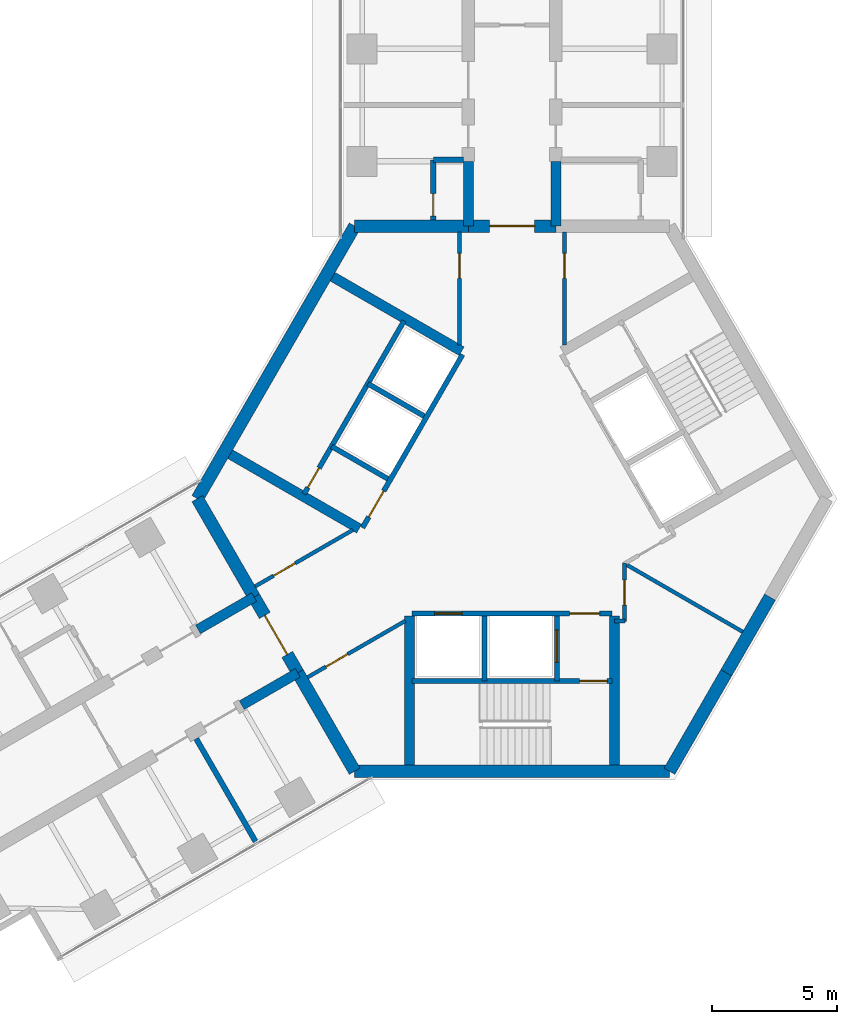
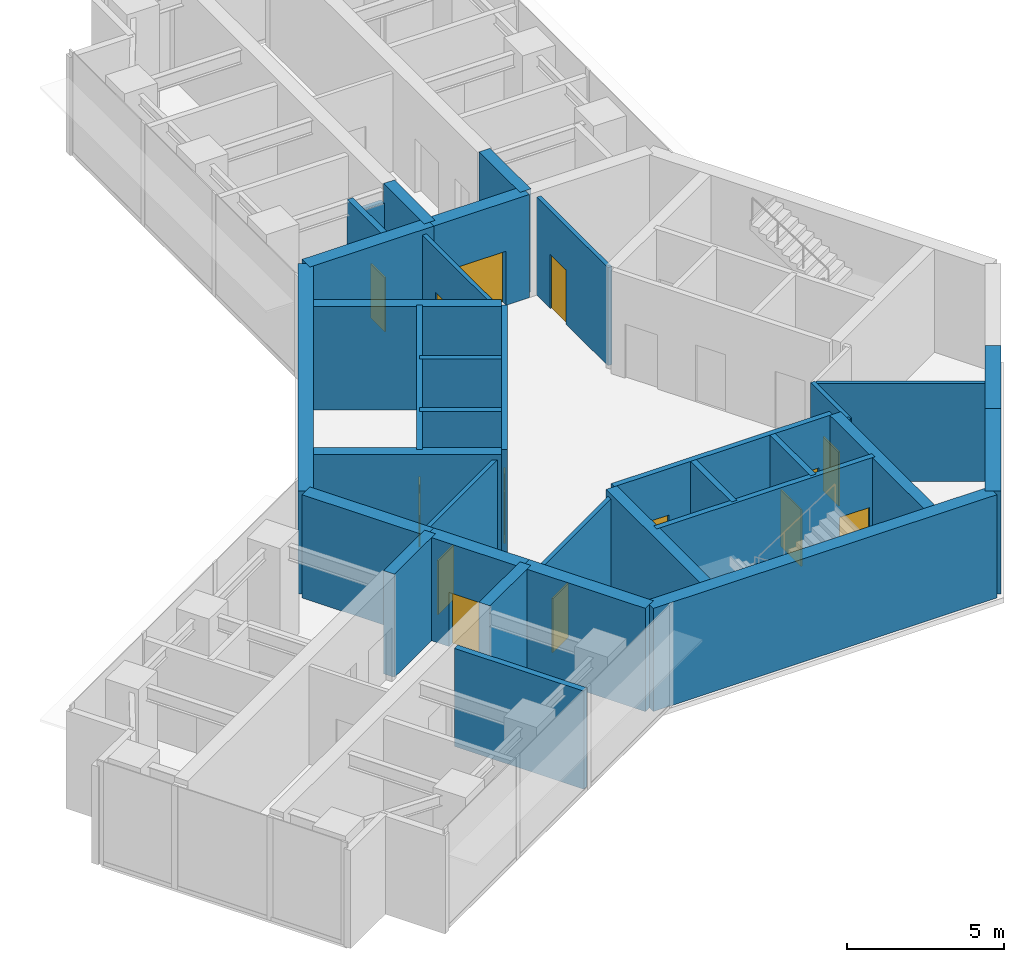
# One storey, part 14 of 17: 35 walls, 14 doors, 14 openings.
"""IFC4 building model written with IfcOpenShell, lengths in metres."""

from ifc_helpers import new_model, si_unit, direction, frame, frame_2d, origin, place, context, subcontext, project, spatial, rectangle, extrude, material, layer, layer_set, type_object, element, fill, save


model = new_model("IFC4")

# Units and contexts
model_context = context("Model", 3, precision=1e-05, world=origin(), true_north=direction((0.0, 1.0)))
body_context = subcontext(model_context, "Body", "Model", "MODEL_VIEW")
ifc_project = project(units=[si_unit("LENGTHUNIT", "METRE"), si_unit("AREAUNIT", "SQUARE_METRE"), si_unit("VOLUMEUNIT", "CUBIC_METRE"), si_unit("PLANEANGLEUNIT", "RADIAN"), si_unit("MASSUNIT", "GRAM", prefix="KILO")], contexts=[model_context])

# Site, building, storey
site_placement = place(None, origin())
site = spatial("IfcSite", under=ifc_project, at=site_placement, CompositionType="ELEMENT")
building_placement = place(site_placement, origin())
building = spatial("IfcBuilding", under=site, at=building_placement, Name="Upepo Twin Towers", CompositionType="ELEMENT")
storey_placement = place(building_placement, frame((0.0, 0.0, 186.5)))
storey = spatial("IfcBuildingStorey", under=building, at=storey_placement, Name="L45", CompositionType="ELEMENT", Elevation=186.5)

# Wall, opening, door
ifc_material_1 = material(Name="Concrete blockwork, plastered both faces", Category="masonry")
ifc_layer_1 = layer(ifc_material_1, 0.215087890625)
ifc_layer_set_1 = layer_set([ifc_layer_1], Name="Blockwork partition 215")
wall_type_1 = type_object("IfcWallType", Name="Blockwork partition 215", PredefinedType="PARTITIONING", material=ifc_layer_set_1)
wall_1_placement = place(storey_placement, frame((55.35009765625, -6.842041015625, 0.0), z_axis=(0.0, 0.0, 1.0), x_axis=(0.0, 1.0, 0.0)))
wall_1 = element("IfcWall", 1, at=wall_1_placement, inside=storey, type_object=wall_type_1, Name="T2 WC bay partition AL at 11.16", PredefinedType="PARTITIONING", context=body_context, shape_type="SweptSolid", body=[
    extrude(rectangle(XDim=2.400146484375, YDim=0.215087890625, at=frame_2d((1.2001953125, 0.0))), origin(), (0.0, 0.0, 1.0), 3.800048828125),
])
opening_1_placement = place(wall_1_placement, frame((0.14990234375, 0.0, 0.0)))
opening_1 = element("IfcOpeningElement", 2, at=opening_1_placement, cuts=wall_1, Name="Opening D14", PredefinedType="OPENING", context=body_context, shape_type="SweptSolid", body=[
    extrude(rectangle(XDim=0.89990234375, YDim=2.10009765625, at=frame_2d((0.449951171875, 1.050048828125))), frame((0.0, 0.117431640625, 0.0), z_axis=(0.0, -1.0, 0.0), x_axis=(1.0, 0.0, 0.0)), (0.0, 0.0, 1.0), 0.235107421875),
])
ifc_material_2 = material(Name="Timber doorset", Category="wood")
door_type_1 = type_object("IfcDoorType", Name="Office door 900 FD30", OperationType="SINGLE_SWING_LEFT", PredefinedType="DOOR", material=ifc_material_2)
door_1_placement = place(opening_1_placement, origin())
door_1 = element("IfcDoor", 3, at=door_1_placement, inside=storey, type_object=door_type_1, Name="T2 L45 WC bay inner room door", OperationType="SINGLE_SWING_LEFT", OverallHeight=2.10009765625, OverallWidth=0.89990234375, PredefinedType="DOOR", context=body_context, shape_type="SweptSolid", body=[
    extrude(rectangle(XDim=0.89990234375, YDim=2.10009765625, at=frame_2d((0.449951171875, 1.050048828125))), frame((0.0, 0.02490234375, 0.0), z_axis=(0.0, -1.0, 0.0), x_axis=(1.0, 0.0, 0.0)), (0.0, 0.0, 1.0), 0.050048828125),
])
fill(opening_1, door_1)

# Walls
wall_2_placement = place(storey_placement, frame((56.550048828125, -4.44189453125, 0.0), z_axis=(0.0, 0.0, 1.0), x_axis=(-1.0, 0.0, 0.0)))
element("IfcWall", 4, at=wall_2_placement, inside=storey, type_object=wall_type_1, Name="T2 WC bay partition AL end at 13.56", PredefinedType="PARTITIONING", context=body_context, shape_type="SweptSolid", body=[
    extrude(rectangle(XDim=1.199951171875, YDim=0.215087890625, at=frame_2d((0.60009765625, 0.0))), origin(), (0.0, 0.0, 1.0), 3.266845703125),
])
wall_3_placement = place(storey_placement, frame((45.860107421875, -27.60693359375, 0.0), z_axis=(0.0, 0.0, 1.0), x_axis=(0.499986429846, -0.866033238375, 0.0)))
element("IfcWall", 5, at=wall_3_placement, inside=storey, type_object=wall_type_1, Name="T2 partition BL at 15.75", PredefinedType="PARTITIONING", context=body_context, shape_type="SweptSolid", body=[
    extrude(rectangle(XDim=4.750244140625, YDim=0.215087890625, at=frame_2d((2.375, 0.0))), origin(), (0.0, 0.0, 1.0), 3.800048828125),
])
ifc_material_3 = material(Name="Concrete C60/75", Category="concrete")
ifc_layer_2 = layer(ifc_material_3, 0.39990234375)
ifc_layer_set_2 = layer_set([ifc_layer_2], Name="Concrete C60/75")
wall_type_2 = type_object("IfcWallType", Name="Buttress wall 400 RC", PredefinedType="SHEAR", material=ifc_layer_set_2)
for number, where, z_axis, x_axis, name in (
    (6, (56.75, -7.091552734375, 0.0), (0.0, 0.0, 1.0), (0.0, 1.0, 0.0), "T2 wing A buttress wall L"),
    (7, (60.25, -7.091552734375, 0.0), (0.0, 0.0, 1.0), (0.0, 1.0, 0.0), "T2 wing A buttress wall R"),
):
    element("IfcWall", number, at=place(storey_placement, frame(where, z_axis=z_axis, x_axis=x_axis)), inside=storey, type_object=wall_type_2, Name=name, PredefinedType="SHEAR", context=body_context, shape_type="SweptSolid", body=[
        extrude(rectangle(XDim=2.591552734375, YDim=0.39990234375, at=frame_2d((1.2958984375, 0.0))), origin(), (0.0, 0.0, 1.0), 4.0),
    ])
for number, where, z_axis, x_axis, name in (
    (8, (49.92822265625, -24.9697265625, 0.0), (0.0, 0.0, 1.0), (-0.866031863473, -0.499988811324, 0.0), "T2 wing B buttress wall L"),
    (9, (48.17822265625, -21.938720703125, 0.0), (0.0, 0.0, 1.0), (-0.866072649678, -0.499918158782, 0.0), "T2 wing B buttress wall R"),
):
    element("IfcWall", number, at=place(storey_placement, frame(where, z_axis=z_axis, x_axis=x_axis)), inside=storey, type_object=wall_type_2, Name=name, PredefinedType="SHEAR", context=body_context, shape_type="SweptSolid", body=[
        extrude(rectangle(XDim=2.591796875, YDim=0.39990234375, at=frame_2d((1.2958984375, 0.0))), origin(), (0.0, 0.0, 1.0), 4.0),
    ])

# Wall, opening, door
ifc_material_4 = material(Name="Concrete C60/75", Category="concrete")
ifc_layer_3 = layer(ifc_material_4, 0.5)
ifc_layer_set_3 = layer_set([ifc_layer_3], Name="Concrete C60/75")
wall_type_3 = type_object("IfcWallType", Name="Core wall 500 RC", PredefinedType="SHEAR", material=ifc_layer_set_3)
wall_4_placement = place(storey_placement, frame((60.25, -7.091552734375, 0.0), z_axis=(0.0, 0.0, 1.0), x_axis=(-1.0, 0.0, 0.0)))
wall_4 = element("IfcWall", 10, at=wall_4_placement, inside=storey, type_object=wall_type_3, Name="T2 core wall 000", PredefinedType="SHEAR", context=body_context, shape_type="SweptSolid", body=[
    extrude(rectangle(XDim=3.5, YDim=0.5, at=frame_2d((1.75, 0.0))), origin(), (0.0, 0.0, 1.0), 4.0),
])
opening_2_placement = place(wall_4_placement, frame((0.85009765625, 0.0, 0.0)))
opening_2 = element("IfcOpeningElement", 11, at=opening_2_placement, cuts=wall_4, Name="Opening D2", PredefinedType="OPENING", context=body_context, shape_type="SweptSolid", body=[
    extrude(rectangle(XDim=1.800048828125, YDim=2.10009765625, at=frame_2d((0.89990234375, 1.050048828125))), frame((0.0, 0.260009765625, 0.0), z_axis=(0.0, -1.0, 0.0), x_axis=(1.0, 0.0, 0.0)), (0.0, 0.0, 1.0), 0.52001953125),
])
ifc_material_5 = material(Name="Timber doorset", Category="wood")
door_type_2 = type_object("IfcDoorType", Name="Corridor double door 1800 FD60", OperationType="DOUBLE_DOOR_DOUBLE_SWING", PredefinedType="DOOR", material=ifc_material_5)
door_2_placement = place(opening_2_placement, origin())
door_2 = element("IfcDoor", 12, at=door_2_placement, inside=storey, type_object=door_type_2, Name="T2 L45 wing A corridor door", OperationType="DOUBLE_DOOR_DOUBLE_SWING", OverallHeight=2.10009765625, OverallWidth=1.800048828125, PredefinedType="DOOR", context=body_context, shape_type="SweptSolid", body=[
    extrude(rectangle(XDim=1.800048828125, YDim=2.10009765625, at=frame_2d((0.89990234375, 1.050048828125))), frame((0.0, 0.02490234375, 0.0), z_axis=(0.0, -1.0, 0.0), x_axis=(1.0, 0.0, 0.0)), (0.0, 0.0, 1.0), 0.050048828125),
])
fill(opening_2, door_2)

# Walls
wall_5_placement = place(storey_placement, frame((56.75, -7.091552734375, 0.0), z_axis=(0.0, 0.0, 1.0), x_axis=(-1.0, 0.0, 0.0)))
element("IfcWall", 13, at=wall_5_placement, inside=storey, type_object=wall_type_3, Name="T2 core wall 000 L", PredefinedType="SHEAR", context=body_context, shape_type="SweptSolid", body=[
    extrude(rectangle(XDim=4.5478515625, YDim=0.5, at=frame_2d((2.27392578125, 0.0))), origin(), (0.0, 0.0, 1.0), 4.0),
])
wall_6_placement = place(storey_placement, frame((52.2021484375, -7.091552734375, 0.0), z_axis=(0.0, 0.0, 1.0), x_axis=(-0.500005998175, -0.866021940709, 0.0)))
element("IfcWall", 14, at=wall_6_placement, inside=storey, type_object=wall_type_3, Name="T2 core wall 060", PredefinedType="SHEAR", context=body_context, shape_type="SweptSolid", body=[
    extrude(rectangle(XDim=12.595947265625, YDim=0.5, at=frame_2d((6.2978515625, 0.0))), origin(), (0.0, 0.0, 1.0), 4.0),
])
wall_7_placement = place(storey_placement, frame((45.904052734375, -18.0, 0.0), z_axis=(0.0, 0.0, 1.0), x_axis=(0.500024481964, -0.866011268655, 0.0)))
element("IfcWall", 15, at=wall_7_placement, inside=storey, type_object=wall_type_3, Name="T2 core wall 120 R", PredefinedType="SHEAR", context=body_context, shape_type="SweptSolid", body=[
    extrude(rectangle(XDim=4.548095703125, YDim=0.5, at=frame_2d((2.27392578125, 0.0))), origin(), (0.0, 0.0, 1.0), 4.0),
])

# Wall, opening, door
wall_8_placement = place(storey_placement, frame((48.17822265625, -21.938720703125, 0.0), z_axis=(0.0, 0.0, 1.0), x_axis=(0.500010275428, -0.866019471182, 0.0)))
wall_8 = element("IfcWall", 16, at=wall_8_placement, inside=storey, type_object=wall_type_3, Name="T2 core wall 120", PredefinedType="SHEAR", context=body_context, shape_type="SweptSolid", body=[
    extrude(rectangle(XDim=3.5, YDim=0.5, at=frame_2d((1.75, 0.0))), origin(), (0.0, 0.0, 1.0), 4.0),
])
opening_3_placement = place(wall_8_placement, frame((0.85009765625, 0.0, 0.0)))
opening_3 = element("IfcOpeningElement", 17, at=opening_3_placement, cuts=wall_8, Name="Opening D2", PredefinedType="OPENING", context=body_context, shape_type="SweptSolid", body=[
    extrude(rectangle(XDim=1.800048828125, YDim=2.10009765625, at=frame_2d((0.89990234375, 1.050048828125))), frame((0.0, 0.260009765625, 0.0), z_axis=(0.0, -1.0, 0.0), x_axis=(1.0, 0.0, 0.0)), (0.0, 0.0, 1.0), 0.52001953125),
])
door_3_placement = place(opening_3_placement, origin())
door_3 = element("IfcDoor", 18, at=door_3_placement, inside=storey, type_object=door_type_2, Name="T2 L45 wing B corridor door", OperationType="DOUBLE_DOOR_DOUBLE_SWING", OverallHeight=2.10009765625, OverallWidth=1.800048828125, PredefinedType="DOOR", context=body_context, shape_type="SweptSolid", body=[
    extrude(rectangle(XDim=1.800048828125, YDim=2.10009765625, at=frame_2d((0.89990234375, 1.050048828125))), frame((0.0, 0.02490234375, 0.0), z_axis=(0.0, -1.0, 0.0), x_axis=(1.0, 0.0, 0.0)), (0.0, 0.0, 1.0), 0.050048828125),
])
fill(opening_3, door_3)

# Walls
wall_9_placement = place(storey_placement, frame((49.92822265625, -24.9697265625, 0.0), z_axis=(0.0, 0.0, 1.0), x_axis=(0.499984222037, -0.866034513004, 0.0)))
element("IfcWall", 19, at=wall_9_placement, inside=storey, type_object=wall_type_3, Name="T2 core wall 120 L", PredefinedType="SHEAR", context=body_context, shape_type="SweptSolid", body=[
    extrude(rectangle(XDim=4.548095703125, YDim=0.5, at=frame_2d((2.27392578125, 0.0))), origin(), (0.0, 0.0, 1.0), 4.0),
])
wall_10_placement = place(storey_placement, frame((52.2021484375, -28.908447265625, 0.0), z_axis=(0.0, 0.0, 1.0), x_axis=(1.0, 0.0, 0.0)))
element("IfcWall", 20, at=wall_10_placement, inside=storey, type_object=wall_type_3, Name="T2 core wall 180", PredefinedType="SHEAR", context=body_context, shape_type="SweptSolid", body=[
    extrude(rectangle(XDim=12.595703125, YDim=0.5, at=frame_2d((6.2978515625, 0.0))), origin(), (0.0, 0.0, 1.0), 4.0),
])
wall_11_placement = place(storey_placement, frame((64.7978515625, -28.908447265625, 0.0), z_axis=(0.0, 0.0, 1.0), x_axis=(0.499984222037, 0.866034513004, 0.0)))
element("IfcWall", 21, at=wall_11_placement, inside=storey, type_object=wall_type_3, Name="T2 core wall 240 R", PredefinedType="SHEAR", context=body_context, shape_type="SweptSolid", body=[
    extrude(rectangle(XDim=4.548095703125, YDim=0.5, at=frame_2d((2.27392578125, 0.0))), origin(), (0.0, 0.0, 1.0), 4.0),
])
wall_12_placement = place(storey_placement, frame((67.07177734375, -24.9697265625, 0.0), z_axis=(0.0, 0.0, 1.0), x_axis=(0.500010275428, 0.866019471182, 0.0)))
element("IfcWall", 22, at=wall_12_placement, inside=storey, type_object=wall_type_3, Name="T2 core wall 240", PredefinedType="SHEAR", context=body_context, shape_type="SweptSolid", body=[
    extrude(rectangle(XDim=3.5, YDim=0.5, at=frame_2d((1.75, 0.0))), origin(), (0.0, 0.0, 1.0), 4.0),
])

# Wall, opening, door
ifc_material_6 = material(Name="Concrete C40/50", Category="concrete")
ifc_layer_4 = layer(ifc_material_6, 0.199951171875)
ifc_layer_set_4 = layer_set([ifc_layer_4], Name="Concrete C40/50")
wall_type_4 = type_object("IfcWallType", Name="Shaft wall 200 RC", PredefinedType="SHEAR", material=ifc_layer_set_4)
wall_13_placement = place(storey_placement, frame((56.516357421875, -12.23583984375, 0.0), z_axis=(0.0, 0.0, 1.0), x_axis=(-0.49999894854, -0.866026010844, 0.0)))
wall_13 = element("IfcWall", 23, at=wall_13_placement, inside=storey, type_object=wall_type_4, Name="T2 core W60 front wall", PredefinedType="SHEAR", context=body_context, shape_type="SweptSolid", body=[
    extrude(rectangle(XDim=8.0, YDim=0.199951171875, at=frame_2d((4.0, 0.0))), origin(), (0.0, 0.0, 1.0), 4.0),
])
opening_4_placement = place(wall_13_placement, frame((6.300048828125, 0.0, 0.0)))
opening_4 = element("IfcOpeningElement", 24, at=opening_4_placement, cuts=wall_13, Name="Opening D4", PredefinedType="OPENING", context=body_context, shape_type="SweptSolid", body=[
    extrude(rectangle(XDim=1.199951171875, YDim=2.10009765625, at=frame_2d((0.60009765625, 1.050048828125))), frame((0.0, 0.10986328125, 0.0), z_axis=(0.0, -1.0, 0.0), x_axis=(1.0, 0.0, 0.0)), (0.0, 0.0, 1.0), 0.219970703125),
])
ifc_material_7 = material(Name="Timber doorset", Category="wood")
door_type_3 = type_object("IfcDoorType", Name="Lobby door 1200 FD60", OperationType="SINGLE_SWING_LEFT", PredefinedType="DOOR", material=ifc_material_7)
door_4_placement = place(opening_4_placement, origin())
door_4 = element("IfcDoor", 25, at=door_4_placement, inside=storey, type_object=door_type_3, Name="T2 L45 W60 lobby door", OperationType="SINGLE_SWING_RIGHT", OverallHeight=2.10009765625, OverallWidth=1.199951171875, PredefinedType="DOOR", context=body_context, shape_type="SweptSolid", body=[
    extrude(rectangle(XDim=1.199951171875, YDim=2.10009765625, at=frame_2d((0.60009765625, 1.050048828125))), frame((0.0, 0.02490234375, 0.0), z_axis=(0.0, -1.0, 0.0), x_axis=(1.0, 0.0, 0.0)), (0.0, 0.0, 1.0), 0.050048828125),
])
fill(opening_4, door_4)

# Walls
for number, where, z_axis, x_axis, name in (
    (26, (54.979736328125, -14.697265625, 0.0), (0.0, 0.0, 1.0), (-0.866062058628, 0.499936506574, 0.0), "T2 core W60 shaft divider"),
    (27, (53.52978515625, -17.208740234375, 0.0), (0.0, 0.0, 1.0), (-0.866062058628, 0.499936506574, 0.0), "T2 core W60 lobby wall"),
):
    element("IfcWall", number, at=place(storey_placement, frame(where, z_axis=z_axis, x_axis=x_axis)), inside=storey, type_object=wall_type_4, Name=name, PredefinedType="SHEAR", context=body_context, shape_type="SweptSolid", body=[
        extrude(rectangle(XDim=2.599853515625, YDim=0.199951171875, at=frame_2d((1.2998046875, 0.0))), origin(), (0.0, 0.0, 1.0), 4.0),
    ])

# Wall, opening, door
wall_14_placement = place(storey_placement, frame((54.177978515625, -10.885986328125, 0.0), z_axis=(0.0, 0.0, 1.0), x_axis=(-0.49999894854, -0.866026010844, 0.0)))
wall_14 = element("IfcWall", 28, at=wall_14_placement, inside=storey, type_object=wall_type_4, Name="T2 core W60 stair wall", PredefinedType="SHEAR", context=body_context, shape_type="SweptSolid", body=[
    extrude(rectangle(XDim=8.0, YDim=0.199951171875, at=frame_2d((4.0, 0.0))), origin(), (0.0, 0.0, 1.0), 4.0),
])
opening_5_placement = place(wall_14_placement, frame((6.800048828125, 0.0, 0.0)))
opening_5 = element("IfcOpeningElement", 29, at=opening_5_placement, cuts=wall_14, Name="Opening D9", PredefinedType="OPENING", context=body_context, shape_type="SweptSolid", body=[
    extrude(rectangle(XDim=0.89990234375, YDim=2.10009765625, at=frame_2d((0.449951171875, 1.050048828125))), frame((0.0, 0.10986328125, 0.0), z_axis=(0.0, -1.0, 0.0), x_axis=(1.0, 0.0, 0.0)), (0.0, 0.0, 1.0), 0.219970703125),
])
ifc_material_8 = material(Name="Timber doorset", Category="wood")
door_type_4 = type_object("IfcDoorType", Name="Riser door 900 FD60", OperationType="SINGLE_SWING_LEFT", PredefinedType="DOOR", material=ifc_material_8)
door_5_placement = place(opening_5_placement, origin())
door_5 = element("IfcDoor", 30, at=door_5_placement, inside=storey, type_object=door_type_4, Name="T2 L45 riser door", OperationType="SINGLE_SWING_RIGHT", OverallHeight=2.10009765625, OverallWidth=0.89990234375, PredefinedType="DOOR", context=body_context, shape_type="SweptSolid", body=[
    extrude(rectangle(XDim=0.89990234375, YDim=2.10009765625, at=frame_2d((0.449951171875, 1.050048828125))), frame((0.0, 0.02490234375, 0.0), z_axis=(0.0, -1.0, 0.0), x_axis=(1.0, 0.0, 0.0)), (0.0, 0.0, 1.0), 0.050048828125),
])
fill(opening_5, door_5)

# Wall, openings, doors
wall_15_placement = place(storey_placement, frame((54.5, -22.60009765625, 0.0), z_axis=(0.0, 0.0, 1.0), x_axis=(1.0, 0.0, 0.0)))
wall_15 = element("IfcWall", 31, at=wall_15_placement, inside=storey, type_object=wall_type_4, Name="T2 core W180 front wall", PredefinedType="SHEAR", context=body_context, shape_type="SweptSolid", body=[
    extrude(rectangle(XDim=8.0, YDim=0.199951171875, at=frame_2d((4.0, 0.0))), origin(), (0.0, 0.0, 1.0), 4.0),
])
opening_6_placement = place(wall_15_placement, frame((6.300048828125, 0.0, 0.0)))
opening_6 = element("IfcOpeningElement", 32, at=opening_6_placement, cuts=wall_15, Name="Opening D4", PredefinedType="OPENING", context=body_context, shape_type="SweptSolid", body=[
    extrude(rectangle(XDim=1.199951171875, YDim=2.10009765625, at=frame_2d((0.60009765625, 1.050048828125))), frame((0.0, 0.10986328125, 0.0), z_axis=(0.0, -1.0, 0.0), x_axis=(1.0, 0.0, 0.0)), (0.0, 0.0, 1.0), 0.219970703125),
])
opening_7_placement = place(wall_15_placement, frame((0.89990234375, 0.0, 0.0)))
opening_7 = element("IfcOpeningElement", 33, at=opening_7_placement, cuts=wall_15, Name="Opening LD1", PredefinedType="OPENING", context=body_context, shape_type="SweptSolid", body=[
    extrude(rectangle(XDim=1.10009765625, YDim=2.199951171875, at=frame_2d((0.550048828125, 1.10009765625))), frame((0.0, 0.10986328125, 0.0), z_axis=(0.0, -1.0, 0.0), x_axis=(1.0, 0.0, 0.0)), (0.0, 0.0, 1.0), 0.219970703125),
])
ifc_material_9 = material(Name="Steel doorset", Category="steel")
door_type_5 = type_object("IfcDoorType", Name="Lift landing door 1100", OperationType="DOUBLE_DOOR_SLIDING", PredefinedType="DOOR", material=ifc_material_9)
door_6_placement = place(opening_7_placement, origin())
door_6 = element("IfcDoor", 34, at=door_6_placement, inside=storey, type_object=door_type_5, Name="T2 L45 lift SV1 landing door", OperationType="DOUBLE_DOOR_SLIDING", OverallHeight=2.199951171875, OverallWidth=1.10009765625, PredefinedType="DOOR", context=body_context, shape_type="SweptSolid", body=[
    extrude(rectangle(XDim=1.10009765625, YDim=2.199951171875, at=frame_2d((0.550048828125, 1.10009765625))), frame((0.0, 0.02490234375, 0.0), z_axis=(0.0, -1.0, 0.0), x_axis=(1.0, 0.0, 0.0)), (0.0, 0.0, 1.0), 0.050048828125),
])
fill(opening_7, door_6)
door_7_placement = place(opening_6_placement, origin())
door_7 = element("IfcDoor", 35, at=door_7_placement, inside=storey, type_object=door_type_3, Name="T2 L45 W180 lobby door", OperationType="SINGLE_SWING_RIGHT", OverallHeight=2.10009765625, OverallWidth=1.199951171875, PredefinedType="DOOR", context=body_context, shape_type="SweptSolid", body=[
    extrude(rectangle(XDim=1.199951171875, YDim=2.10009765625, at=frame_2d((0.60009765625, 1.050048828125))), frame((0.0, 0.02490234375, 0.0), z_axis=(0.0, -1.0, 0.0), x_axis=(1.0, 0.0, 0.0)), (0.0, 0.0, 1.0), 0.050048828125),
])
fill(opening_6, door_7)

# Wall
wall_16_placement = place(storey_placement, frame((57.39990234375, -22.699951171875, 0.0), z_axis=(0.0, 0.0, 1.0), x_axis=(0.0, -1.0, 0.0)))
element("IfcWall", 36, at=wall_16_placement, inside=storey, type_object=wall_type_4, Name="T2 core W180 shaft divider", PredefinedType="SHEAR", context=body_context, shape_type="SweptSolid", body=[
    extrude(rectangle(XDim=2.60009765625, YDim=0.199951171875, at=frame_2d((1.300048828125, 0.0))), origin(), (0.0, 0.0, 1.0), 4.0),
])

# Wall, opening, door
wall_17_placement = place(storey_placement, frame((60.300048828125, -22.699951171875, 0.0), z_axis=(0.0, 0.0, 1.0), x_axis=(0.0, -1.0, 0.0)))
wall_17 = element("IfcWall", 37, at=wall_17_placement, inside=storey, type_object=wall_type_4, Name="T2 core W180 lobby wall", PredefinedType="SHEAR", context=body_context, shape_type="SweptSolid", body=[
    extrude(rectangle(XDim=2.60009765625, YDim=0.199951171875, at=frame_2d((1.300048828125, 0.0))), origin(), (0.0, 0.0, 1.0), 4.0),
])
opening_8_placement = place(wall_17_placement, frame((0.550048828125, 0.0, 0.0)))
opening_8 = element("IfcOpeningElement", 38, at=opening_8_placement, cuts=wall_17, Name="Opening LD2", PredefinedType="OPENING", context=body_context, shape_type="SweptSolid", body=[
    extrude(rectangle(XDim=1.300048828125, YDim=2.199951171875, at=frame_2d((0.64990234375, 1.10009765625))), frame((0.0, 0.10986328125, 0.0), z_axis=(0.0, -1.0, 0.0), x_axis=(1.0, 0.0, 0.0)), (0.0, 0.0, 1.0), 0.219970703125),
])
ifc_material_10 = material(Name="Steel doorset", Category="steel")
door_type_6 = type_object("IfcDoorType", Name="Firefighting lift landing door 1300", OperationType="DOUBLE_DOOR_SLIDING", PredefinedType="DOOR", material=ifc_material_10)
door_8_placement = place(opening_8_placement, origin())
door_8 = element("IfcDoor", 39, at=door_8_placement, inside=storey, type_object=door_type_6, Name="T2 L45 firefighting lift landing door", OperationType="DOUBLE_DOOR_SLIDING", OverallHeight=2.199951171875, OverallWidth=1.300048828125, PredefinedType="DOOR", context=body_context, shape_type="SweptSolid", body=[
    extrude(rectangle(XDim=1.300048828125, YDim=2.199951171875, at=frame_2d((0.64990234375, 1.10009765625))), frame((0.0, 0.02490234375, 0.0), z_axis=(0.0, -1.0, 0.0), x_axis=(1.0, 0.0, 0.0)), (0.0, 0.0, 1.0), 0.050048828125),
])
fill(opening_8, door_8)

wall_18_placement = place(storey_placement, frame((54.5, -25.300048828125, 0.0), z_axis=(0.0, 0.0, 1.0), x_axis=(1.0, 0.0, 0.0)))
wall_18 = element("IfcWall", 40, at=wall_18_placement, inside=storey, type_object=wall_type_4, Name="T2 core W180 stair wall", PredefinedType="SHEAR", context=body_context, shape_type="SweptSolid", body=[
    extrude(rectangle(XDim=8.0, YDim=0.199951171875, at=frame_2d((4.0, 0.0))), origin(), (0.0, 0.0, 1.0), 4.0),
])
opening_9_placement = place(wall_18_placement, frame((6.699951171875, 0.0, 0.0)))
opening_9 = element("IfcOpeningElement", 41, at=opening_9_placement, cuts=wall_18, Name="Opening D3", PredefinedType="OPENING", context=body_context, shape_type="SweptSolid", body=[
    extrude(rectangle(XDim=1.10009765625, YDim=2.10009765625, at=frame_2d((0.550048828125, 1.050048828125))), frame((0.0, 0.10986328125, 0.0), z_axis=(0.0, -1.0, 0.0), x_axis=(1.0, 0.0, 0.0)), (0.0, 0.0, 1.0), 0.219970703125),
])
ifc_material_11 = material(Name="Timber doorset", Category="wood")
door_type_7 = type_object("IfcDoorType", Name="Stair door 1100 FD60", OperationType="SINGLE_SWING_LEFT", PredefinedType="DOOR", material=ifc_material_11)
door_9_placement = place(opening_9_placement, origin())
door_9 = element("IfcDoor", 42, at=door_9_placement, inside=storey, type_object=door_type_7, Name="T2 L45 stair door", OperationType="SINGLE_SWING_RIGHT", OverallHeight=2.10009765625, OverallWidth=1.10009765625, PredefinedType="DOOR", context=body_context, shape_type="SweptSolid", body=[
    extrude(rectangle(XDim=1.10009765625, YDim=2.10009765625, at=frame_2d((0.550048828125, 1.050048828125))), frame((0.0, 0.02490234375, 0.0), z_axis=(0.0, -1.0, 0.0), x_axis=(1.0, 0.0, 0.0)), (0.0, 0.0, 1.0), 0.050048828125),
])
fill(opening_9, door_9)

# Walls
ifc_material_12 = material(Name="Concrete C40/50", Category="concrete")
ifc_layer_5 = layer(ifc_material_12, 0.39990234375)
ifc_layer_set_5 = layer_set([ifc_layer_5], Name="Concrete C40/50")
wall_type_5 = type_object("IfcWallType", Name="Shaft wall 400 RC", PredefinedType="SHEAR", material=ifc_layer_set_5)
wall_19_placement = place(storey_placement, frame((52.379638671875, -19.20068359375, 0.0), z_axis=(0.0, 0.0, 1.0), x_axis=(-0.866012946976, 0.500021575205, 0.0)))
element("IfcWall", 43, at=wall_19_placement, inside=storey, type_object=wall_type_5, Name="T2 core W60 side wall N", PredefinedType="SHEAR", context=body_context, shape_type="SweptSolid", body=[
    extrude(rectangle(XDim=5.958251953125, YDim=0.39990234375, at=frame_2d((2.97900390625, 0.0))), origin(), (0.0, 0.0, 1.0), 4.0),
])
for number, where, z_axis, x_axis, name in (
    (44, (56.479736328125, -12.099365234375, 0.0), (0.0, 0.0, 1.0), (-0.86602319114, 0.500003832394, 0.0), "T2 core W60 side wall S"),
    (45, (62.60009765625, -22.699951171875, 0.0), (0.0, 0.0, 1.0), (0.0, -1.0, 0.0), "T2 core W180 side wall N"),
    (46, (54.39990234375, -22.699951171875, 0.0), (0.0, 0.0, 1.0), (0.0, -1.0, 0.0), "T2 core W180 side wall S"),
):
    element("IfcWall", number, at=place(storey_placement, frame(where, z_axis=z_axis, x_axis=x_axis)), inside=storey, type_object=wall_type_5, Name=name, PredefinedType="SHEAR", context=body_context, shape_type="SweptSolid", body=[
        extrude(rectangle(XDim=5.95849609375, YDim=0.39990234375, at=frame_2d((2.979248046875, 0.0))), origin(), (0.0, 0.0, 1.0), 4.0),
    ])
ifc_material_13 = material(Name="Gypsum board on steel studs", Category="steel")
ifc_layer_6 = layer(ifc_material_13, 0.14990234375)
ifc_layer_set_6 = layer_set([ifc_layer_6], Name="Teaching partition 150 acoustic")
wall_type_6 = type_object("IfcWallType", Name="Teaching partition 150 acoustic", PredefinedType="PARTITIONING", material=ifc_layer_set_6)
wall_20_placement = place(storey_placement, frame((63.02001953125, -22.89990234375, 0.0), z_axis=(0.0, 0.0, 1.0), x_axis=(-1.0, 0.0, 0.0)))
element("IfcWall", 47, at=wall_20_placement, inside=storey, type_object=wall_type_6, Name="T2 core room partition 1", PredefinedType="PARTITIONING", context=body_context, shape_type="SweptSolid", body=[
    extrude(rectangle(XDim=0.429931640625, YDim=0.14990234375, at=frame_2d((0.21484375, 0.0))), origin(), (0.0, 0.0, 1.0), 3.800048828125),
])

# Wall, opening, door
wall_21_placement = place(storey_placement, frame((54.230224609375, -22.889892578125, 0.0), z_axis=(0.0, 0.0, 1.0), x_axis=(-0.866006805923, -0.500032211057, 0.0)))
wall_21 = element("IfcWall", 48, at=wall_21_placement, inside=storey, type_object=wall_type_6, Name="T2 core room partition 2", PredefinedType="PARTITIONING", context=body_context, shape_type="SweptSolid", body=[
    extrude(rectangle(XDim=4.525634765625, YDim=0.14990234375, at=frame_2d((2.2626953125, 0.0))), origin(), (0.0, 0.0, 1.0), 3.800048828125),
])
opening_10_placement = place(wall_21_placement, frame((2.66796875, 0.0, 0.0)))
opening_10 = element("IfcOpeningElement", 49, at=opening_10_placement, cuts=wall_21, Name="Opening D1", PredefinedType="OPENING", context=body_context, shape_type="SweptSolid", body=[
    extrude(rectangle(XDim=1.0, YDim=2.10009765625, at=frame_2d((0.5, 1.050048828125))), frame((0.0, 0.0849609375, 0.0), z_axis=(0.0, -1.0, 0.0), x_axis=(1.0, 0.0, 0.0)), (0.0, 0.0, 1.0), 0.169921875),
])
ifc_material_14 = material(Name="Timber doorset", Category="wood")
door_type_8 = type_object("IfcDoorType", Name="Room door 1000 FD30", OperationType="SINGLE_SWING_LEFT", PredefinedType="DOOR", material=ifc_material_14)
door_10_placement = place(opening_10_placement, origin())
door_10 = element("IfcDoor", 50, at=door_10_placement, inside=storey, type_object=door_type_8, Name="T2 L45 core room door K2", OperationType="SINGLE_SWING_RIGHT", OverallHeight=2.10009765625, OverallWidth=1.0, PredefinedType="DOOR", context=body_context, shape_type="SweptSolid", body=[
    extrude(rectangle(XDim=1.0, YDim=2.10009765625, at=frame_2d((0.5, 1.050048828125))), frame((0.0, 0.02490234375, 0.0), z_axis=(0.0, -1.0, 0.0), x_axis=(1.0, 0.0, 0.0)), (0.0, 0.0, 1.0), 0.050048828125),
])
fill(opening_10, door_10)

wall_22_placement = place(storey_placement, frame((48.2109375, -21.515380859375, 0.0), z_axis=(0.0, 0.0, 1.0), x_axis=(0.866043651885, 0.499968392031, 0.0)))
wall_22 = element("IfcWall", 51, at=wall_22_placement, inside=storey, type_object=wall_type_6, Name="T2 core room partition 3", PredefinedType="PARTITIONING", context=body_context, shape_type="SweptSolid", body=[
    extrude(rectangle(XDim=4.525634765625, YDim=0.14990234375, at=frame_2d((2.2626953125, 0.0))), origin(), (0.0, 0.0, 1.0), 3.800048828125),
])
opening_11_placement = place(wall_22_placement, frame((0.857666015625, 0.0, 0.0)))
opening_11 = element("IfcOpeningElement", 52, at=opening_11_placement, cuts=wall_22, Name="Opening D1", PredefinedType="OPENING", context=body_context, shape_type="SweptSolid", body=[
    extrude(rectangle(XDim=1.0, YDim=2.10009765625, at=frame_2d((0.5, 1.050048828125))), frame((0.0, 0.0849609375, 0.0), z_axis=(0.0, -1.0, 0.0), x_axis=(1.0, 0.0, 0.0)), (0.0, 0.0, 1.0), 0.169921875),
])
door_11_placement = place(opening_11_placement, origin())
door_11 = element("IfcDoor", 53, at=door_11_placement, inside=storey, type_object=door_type_8, Name="T2 L45 core room door K1", OperationType="SINGLE_SWING_LEFT", OverallHeight=2.10009765625, OverallWidth=1.0, PredefinedType="DOOR", context=body_context, shape_type="SweptSolid", body=[
    extrude(rectangle(XDim=1.0, YDim=2.10009765625, at=frame_2d((0.5, 1.050048828125))), frame((0.0, 0.02490234375, 0.0), z_axis=(0.0, -1.0, 0.0), x_axis=(1.0, 0.0, 0.0)), (0.0, 0.0, 1.0), 0.050048828125),
])
fill(opening_11, door_11)

wall_23_placement = place(storey_placement, frame((56.39990234375, -11.857421875, 0.0), z_axis=(0.0, 0.0, 1.0), x_axis=(0.0, 1.0, 0.0)))
wall_23 = element("IfcWall", 54, at=wall_23_placement, inside=storey, type_object=wall_type_6, Name="T2 core room partition 4", PredefinedType="PARTITIONING", context=body_context, shape_type="SweptSolid", body=[
    extrude(rectangle(XDim=4.525634765625, YDim=0.14990234375, at=frame_2d((2.2626953125, 0.0))), origin(), (0.0, 0.0, 1.0), 3.800048828125),
])
opening_12_placement = place(wall_23_placement, frame((2.66796875, 0.0, 0.0)))
opening_12 = element("IfcOpeningElement", 55, at=opening_12_placement, cuts=wall_23, Name="Opening D1", PredefinedType="OPENING", context=body_context, shape_type="SweptSolid", body=[
    extrude(rectangle(XDim=1.0, YDim=2.10009765625, at=frame_2d((0.5, 1.050048828125))), frame((0.0, 0.0849609375, 0.0), z_axis=(0.0, -1.0, 0.0), x_axis=(1.0, 0.0, 0.0)), (0.0, 0.0, 1.0), 0.169921875),
])
door_12_placement = place(opening_12_placement, origin())
door_12 = element("IfcDoor", 56, at=door_12_placement, inside=storey, type_object=door_type_8, Name="T2 L45 core room door K6", OperationType="SINGLE_SWING_RIGHT", OverallHeight=2.10009765625, OverallWidth=1.0, PredefinedType="DOOR", context=body_context, shape_type="SweptSolid", body=[
    extrude(rectangle(XDim=1.0, YDim=2.10009765625, at=frame_2d((0.5, 1.050048828125))), frame((0.0, 0.02490234375, 0.0), z_axis=(0.0, -1.0, 0.0), x_axis=(1.0, 0.0, 0.0)), (0.0, 0.0, 1.0), 0.050048828125),
])
fill(opening_12, door_12)

wall_24_placement = place(storey_placement, frame((60.60009765625, -7.331787109375, 0.0), z_axis=(0.0, 0.0, 1.0), x_axis=(0.0, -1.0, 0.0)))
wall_24 = element("IfcWall", 57, at=wall_24_placement, inside=storey, type_object=wall_type_6, Name="T2 core room partition 5", PredefinedType="PARTITIONING", context=body_context, shape_type="SweptSolid", body=[
    extrude(rectangle(XDim=4.525634765625, YDim=0.14990234375, at=frame_2d((2.2626953125, 0.0))), origin(), (0.0, 0.0, 1.0), 3.800048828125),
])
opening_13_placement = place(wall_24_placement, frame((0.857666015625, 0.0, 0.0)))
opening_13 = element("IfcOpeningElement", 58, at=opening_13_placement, cuts=wall_24, Name="Opening D1", PredefinedType="OPENING", context=body_context, shape_type="SweptSolid", body=[
    extrude(rectangle(XDim=1.0, YDim=2.10009765625, at=frame_2d((0.5, 1.050048828125))), frame((0.0, 0.0849609375, 0.0), z_axis=(0.0, -1.0, 0.0), x_axis=(1.0, 0.0, 0.0)), (0.0, 0.0, 1.0), 0.169921875),
])
door_13_placement = place(opening_13_placement, origin())
door_13 = element("IfcDoor", 59, at=door_13_placement, inside=storey, type_object=door_type_8, Name="T2 L45 core room door K5", OperationType="SINGLE_SWING_LEFT", OverallHeight=2.10009765625, OverallWidth=1.0, PredefinedType="DOOR", context=body_context, shape_type="SweptSolid", body=[
    extrude(rectangle(XDim=1.0, YDim=2.10009765625, at=frame_2d((0.5, 1.050048828125))), frame((0.0, 0.02490234375, 0.0), z_axis=(0.0, -1.0, 0.0), x_axis=(1.0, 0.0, 0.0)), (0.0, 0.0, 1.0), 0.050048828125),
])
fill(opening_13, door_13)

wall_25_placement = place(storey_placement, frame((63.0, -20.578125, 0.0), z_axis=(0.0, 0.0, 1.0), x_axis=(0.0, -1.0, 0.0)))
wall_25 = element("IfcWall", 60, at=wall_25_placement, inside=storey, type_object=wall_type_6, Name="T2 core room partition 8", PredefinedType="PARTITIONING", context=body_context, shape_type="SweptSolid", body=[
    extrude(rectangle(XDim=2.341796875, YDim=0.14990234375, at=frame_2d((1.1708984375, 0.0))), origin(), (0.0, 0.0, 1.0), 3.800048828125),
])
opening_14_placement = place(wall_25_placement, frame((0.68115234375, 0.0, 0.0)))
opening_14 = element("IfcOpeningElement", 61, at=opening_14_placement, cuts=wall_25, Name="Opening D1", PredefinedType="OPENING", context=body_context, shape_type="SweptSolid", body=[
    extrude(rectangle(XDim=1.0, YDim=2.10009765625, at=frame_2d((0.5, 1.050048828125))), frame((0.0, 0.0849609375, 0.0), z_axis=(0.0, -1.0, 0.0), x_axis=(1.0, 0.0, 0.0)), (0.0, 0.0, 1.0), 0.169921875),
])
door_14_placement = place(opening_14_placement, origin())
door_14 = element("IfcDoor", 62, at=door_14_placement, inside=storey, type_object=door_type_8, Name="T2 L45 core room door K3", OperationType="SINGLE_SWING_RIGHT", OverallHeight=2.10009765625, OverallWidth=1.0, PredefinedType="DOOR", context=body_context, shape_type="SweptSolid", body=[
    extrude(rectangle(XDim=1.0, YDim=2.10009765625, at=frame_2d((0.5, 1.050048828125))), frame((0.0, 0.02490234375, 0.0), z_axis=(0.0, -1.0, 0.0), x_axis=(1.0, 0.0, 0.0)), (0.0, 0.0, 1.0), 0.050048828125),
])
fill(opening_14, door_14)

# Wall
wall_26_placement = place(storey_placement, frame((63.074951171875, -20.641357421875, 0.0), z_axis=(0.0, 0.0, 1.0), x_axis=(0.866035084688, -0.499983231807, 0.0)))
element("IfcWall", 63, at=wall_26_placement, inside=storey, type_object=wall_type_6, Name="T2 core room partition 9", PredefinedType="PARTITIONING", context=body_context, shape_type="SweptSolid", body=[
    extrude(rectangle(XDim=5.375732421875, YDim=0.14990234375, at=frame_2d((2.68798828125, 0.0))), origin(), (0.0, 0.0, 1.0), 3.800048828125),
])

save(model, "model.ifc")
